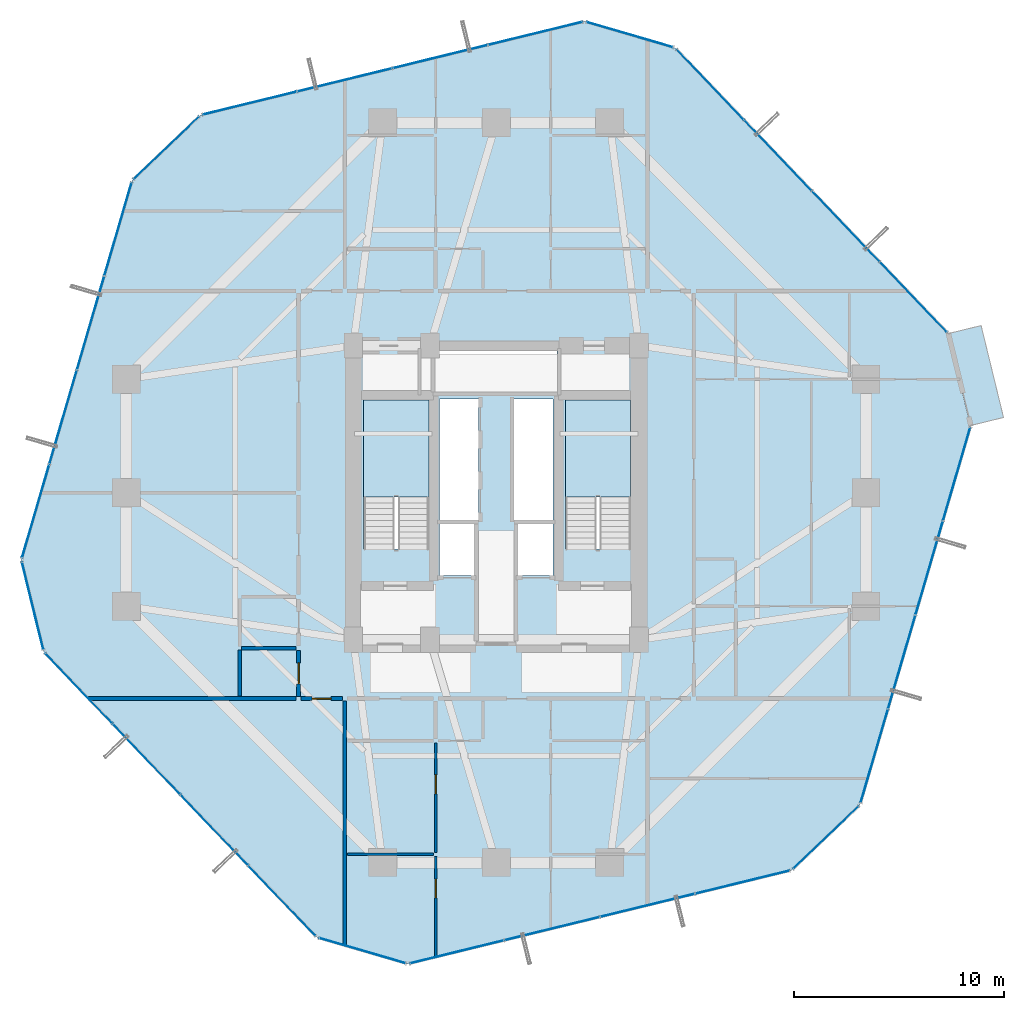
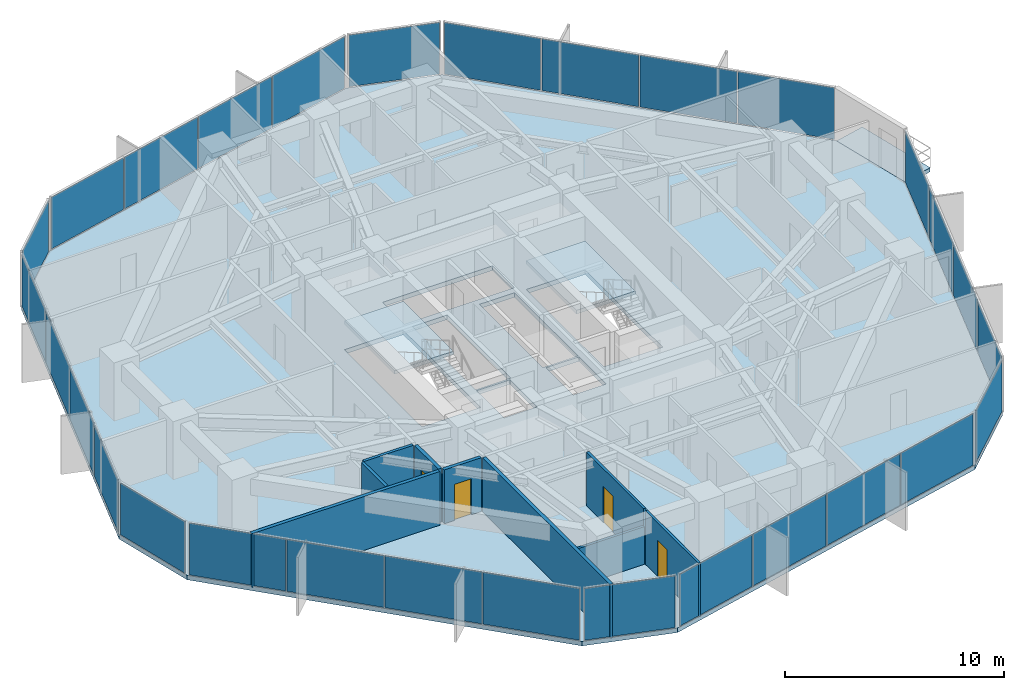
# One storey, part 31 of 37: 29 plates, 9 walls, 4 doors, 4 slabs, 4 openings, 13 elements without a shape of their own.
"""IFC4 building model written with IfcOpenShell, lengths in metres."""

import ifcopenshell
import ifcopenshell.guid

model = None  # the IFC model being written
_history = None  # IfcOwnerHistory: only IFC2X3 demands one
_inside = {}  # id of a spatial element -> (the spatial element, [elements in it])
_under = {}  # id of a project, library or spatial element -> (it, [spatial elements below it])
_declared = {}  # id of a project -> (the project, [libraries it declares])
_typed = {}  # id of a type object -> (the type object, [elements of that type])
_made_of = {}  # id of a material, layer set ... -> (it, [elements and type objects made of it])


def new_model(schema):
    """Start an empty IFC model of exactly this schema.

    Asked for "IFC4X3", IfcOpenShell would pick the latest addendum, in which some entities
    have other attributes; the version numbers below select the first issue.
    IFC2X3 requires an IfcOwnerHistory on every rooted entity: one is made here for all.
    """
    global model, _history
    if schema == "IFC4X3":
        model = ifcopenshell.file(schema_version=(4, 3, 0, 0))
    else:
        model = ifcopenshell.file(schema=schema)
    _inside.clear()
    _under.clear()
    _declared.clear()
    _typed.clear()
    _made_of.clear()
    _history = None
    if model.schema == "IFC2X3":
        org = make("IfcOrganization", Name="unknown")
        user = make(
            "IfcPersonAndOrganization",
            ThePerson=make("IfcPerson", FamilyName="unknown"),
            TheOrganization=org,
        )
        app = make(
            "IfcApplication",
            ApplicationDeveloper=org,
            Version="unknown",
            ApplicationFullName="unknown",
            ApplicationIdentifier="unknown",
        )
        _history = make(
            "IfcOwnerHistory",
            OwningUser=user,
            OwningApplication=app,
            ChangeAction="ADDED",
            CreationDate=0,
        )
    return model


def make(cls, **values):
    """One entity of the class cls with the attributes given. An attribute that is None is left unset."""
    return model.create_entity(
        cls, **{name: value for name, value in values.items() if value is not None}
    )


def rooted(cls, **values):
    """An entity with a GlobalId (a new one), such as an element, a storey or a relation."""
    return make(cls, GlobalId=ifcopenshell.guid.new(), OwnerHistory=_history, **values)


def si_unit(unit_type, name, prefix=None):
    """IfcSIUnit, for example si_unit("LENGTHUNIT", "METRE", prefix="MILLI")."""
    return make("IfcSIUnit", UnitType=unit_type, Prefix=prefix, Name=name)


def assignment(units):
    """IfcUnitAssignment: the units of a project."""
    return None if units is None else make("IfcUnitAssignment", Units=units)


def point(xyz):
    """IfcCartesianPoint."""
    return None if xyz is None else make("IfcCartesianPoint", Coordinates=xyz)


def direction(xyz):
    """IfcDirection."""
    return None if xyz is None else make("IfcDirection", DirectionRatios=xyz)


def frame(location, z_axis=None, x_axis=None):
    """IfcAxis2Placement3D, a coordinate frame: its origin and axes. An axis left out is left unset."""
    return make(
        "IfcAxis2Placement3D",
        Location=point(location),
        Axis=direction(z_axis),
        RefDirection=direction(x_axis),
    )


def frame_2d(location, x_axis=None):
    """IfcAxis2Placement2D, a coordinate frame in the plane: its origin and x axis."""
    return make(
        "IfcAxis2Placement2D", Location=point(location), RefDirection=direction(x_axis)
    )


def origin():
    """The frame at (0, 0, 0) with its axes left unset."""
    return frame((0.0, 0.0, 0.0))


def origin_2d():
    """The frame at (0, 0) in the plane with its x axis left unset."""
    return frame_2d((0.0, 0.0))


def place(relative_to, where):
    """IfcLocalPlacement: puts the frame where relative to a parent placement (None: the world)."""
    return make(
        "IfcLocalPlacement", PlacementRelTo=relative_to, RelativePlacement=where
    )


def context(
    kind, dimensions, precision=None, world=None, true_north=None, identifier=None
):
    """IfcGeometricRepresentationContext, for example the 3D "Model" context."""
    return make(
        "IfcGeometricRepresentationContext",
        ContextIdentifier=identifier,
        ContextType=kind,
        CoordinateSpaceDimension=dimensions,
        Precision=precision,
        WorldCoordinateSystem=world,
        TrueNorth=true_north,
    )


def subcontext(parent, identifier, kind, view, scale=None):
    """IfcGeometricRepresentationSubContext, for example "Body" below "Model"."""
    return make(
        "IfcGeometricRepresentationSubContext",
        ContextIdentifier=identifier,
        ContextType=kind,
        ParentContext=parent,
        TargetScale=scale,
        TargetView=view,
    )


def project(units=None, contexts=None):
    """IfcProject with its units and contexts."""
    return rooted(
        "IfcProject",
        Name="project",
        RepresentationContexts=contexts,
        UnitsInContext=assignment(units),
    )


def spatial(cls, under=None, at=None, **own):
    """A site, building, storey or space (cls), placed at a placement, below another one or the project."""
    s = rooted(cls, ObjectPlacement=at, **own)
    if under is not None:
        _under.setdefault(under.id(), (under, []))[1].append(s)
    return s


def polyline(points):
    """IfcPolyline through the points."""
    return make("IfcPolyline", Points=[point(p) for p in points])


def profile(cls, at=None, kind="AREA", **sizes):
    """A parametric profile (cls). Its sizes go by their IFC names, for example OverallWidth=200.0."""
    return make(cls, ProfileType=kind, Position=at, **sizes)


def rectangle(**sizes):
    """IfcRectangleProfileDef."""
    return profile("IfcRectangleProfileDef", **sizes)


def outline(outer, holes=None, kind="AREA"):
    """IfcArbitraryClosedProfileDef: a profile drawn as a closed curve; with holes, ...WithVoids."""
    if holes is None:
        return make("IfcArbitraryClosedProfileDef", ProfileType=kind, OuterCurve=outer)
    return make(
        "IfcArbitraryProfileDefWithVoids",
        ProfileType=kind,
        OuterCurve=outer,
        InnerCurves=holes,
    )


def extrude(swept, where, along, depth):
    """IfcExtrudedAreaSolid: the profile swept, set in the frame where, extruded along a direction by depth."""
    return make(
        "IfcExtrudedAreaSolid",
        SweptArea=swept,
        Position=where,
        ExtrudedDirection=direction(along),
        Depth=depth,
    )


def shape(context_of_items, identifier, shape_type, items):
    """IfcShapeRepresentation: the items that make up one representation, for example the "Body"."""
    return make(
        "IfcShapeRepresentation",
        ContextOfItems=context_of_items,
        RepresentationIdentifier=identifier,
        RepresentationType=shape_type,
        Items=items,
    )


def source(mapping_origin, context_of_items, identifier, shape_type, items):
    """IfcRepresentationMap: a shape defined once, which mapped items show again and again."""
    return make(
        "IfcRepresentationMap",
        MappingOrigin=mapping_origin,
        MappedRepresentation=shape(context_of_items, identifier, shape_type, items),
    )


def transform(
    local_origin,
    x_axis=None,
    y_axis=None,
    z_axis=None,
    scale=None,
    scale2=None,
    scale3=None,
    uniform=True,
):
    """IfcCartesianTransformationOperator3D, or its non-uniform kind. x_axis, y_axis, z_axis: its Axis1, 2, 3."""
    if uniform:
        return make(
            "IfcCartesianTransformationOperator3D",
            Axis1=direction(x_axis),
            Axis2=direction(y_axis),
            LocalOrigin=point(local_origin),
            Scale=scale,
            Axis3=direction(z_axis),
        )
    return make(
        "IfcCartesianTransformationOperator3DnonUniform",
        Axis1=direction(x_axis),
        Axis2=direction(y_axis),
        LocalOrigin=point(local_origin),
        Scale=scale,
        Axis3=direction(z_axis),
        Scale2=scale2,
        Scale3=scale3,
    )


def mapped(mapping_source, mapping_target):
    """IfcMappedItem: shows the shape of a source again, moved by a transform."""
    return make(
        "IfcMappedItem", MappingSource=mapping_source, MappingTarget=mapping_target
    )


def material(Name=None, Category=None):
    """IfcMaterial."""
    return make("IfcMaterial", Name=Name, Category=Category)


def layer(
    of_material, thickness, ventilated=None, Name=None, Category=None, Priority=None
):
    """IfcMaterialLayer: one layer of a wall or slab, of a material (None: an air gap)."""
    return make(
        "IfcMaterialLayer",
        Material=of_material,
        LayerThickness=thickness,
        IsVentilated=ventilated,
        Name=Name,
        Category=Category,
        Priority=Priority,
    )


def layer_set(layers, Name=None):
    """IfcMaterialLayerSet."""
    return make("IfcMaterialLayerSet", MaterialLayers=layers, LayerSetName=Name)


def made_of(thing, what):
    """Note that an element or type object is made of a material, layer set ...; save() writes the relation."""
    if what is not None:
        _made_of.setdefault(what.id(), (what, []))[1].append(thing)
    return thing


def type_object(cls, material=None, **own):
    """A type object (cls), such as IfcWallType, which elements share."""
    return made_of(rooted(cls, **own), material)


def element(
    cls,
    number,
    at=None,
    inside=None,
    cuts=None,
    type_object=None,
    material=None,
    context=None,
    identifier="Body",
    shape_type=None,
    held_by="IfcProductDefinitionShape",
    body=None,
    shapes=None,
    **own,
):
    """One element of the class cls, such as IfcWall. Its Tag is "e" and its number.

    at: its placement. inside: the storey or other place that contains it. cuts: it is an
    opening in that element (IfcRelVoidsElement). A single representation is given by context,
    identifier, shape_type and body (its items); several are given by shapes. held_by: the class
    of the entity that holds the representations. save() writes the other relations.
    """
    e = rooted(cls, Tag="e%d" % number, ObjectPlacement=at, **own)
    if body is not None:
        shapes = [shape(context, identifier, shape_type, body)]
    if shapes is not None:
        e.Representation = make(held_by, Representations=shapes)
    if inside is not None:
        _inside.setdefault(inside.id(), (inside, []))[1].append(e)
    if cuts is not None:
        rooted(
            "IfcRelVoidsElement", RelatingBuildingElement=cuts, RelatedOpeningElement=e
        )
    if type_object is not None:
        _typed.setdefault(type_object.id(), (type_object, []))[1].append(e)
    return made_of(e, material)


def fill(opening, filler):
    """IfcRelFillsElement: the door or window that sits in an opening."""
    return rooted(
        "IfcRelFillsElement",
        RelatingOpeningElement=opening,
        RelatedBuildingElement=filler,
    )


def aggregate(whole, parts):
    """IfcRelAggregates: a whole, such as a stair, and the parts it consists of."""
    return rooted("IfcRelAggregates", RelatingObject=whole, RelatedObjects=parts)


def save(model, path):
    """Write the relations noted so far, then the file.

    IfcRelAggregates (storeys below a building ...), IfcRelContainedInSpatialStructure (elements
    in a storey), IfcRelDefinesByType, IfcRelAssociatesMaterial and IfcRelDeclares: one each for
    every whole, place, type object, material and project.
    """
    for whole, parts in _under.values():
        aggregate(whole, parts)
    for where, things in _inside.values():
        rooted(
            "IfcRelContainedInSpatialStructure",
            RelatedElements=things,
            RelatingStructure=where,
        )
    for kind, things in _typed.values():
        rooted("IfcRelDefinesByType", RelatedObjects=things, RelatingType=kind)
    for what, things in _made_of.values():
        rooted("IfcRelAssociatesMaterial", RelatedObjects=things, RelatingMaterial=what)
    for by, libraries in _declared.values():
        rooted("IfcRelDeclares", RelatingContext=by, RelatedDefinitions=libraries)
    model.write(path)


model = new_model("IFC4")

# Units and contexts
model_context = context("Model", 3, precision=1e-05, world=origin(), true_north=direction((0.0, 1.0)))
body_context = subcontext(model_context, "Body", "Model", "MODEL_VIEW")
ifc_project = project(units=[si_unit("LENGTHUNIT", "METRE"), si_unit("AREAUNIT", "SQUARE_METRE"), si_unit("VOLUMEUNIT", "CUBIC_METRE"), si_unit("PLANEANGLEUNIT", "RADIAN"), si_unit("MASSUNIT", "GRAM", prefix="KILO")], contexts=[model_context])

# Site, building, storey
site_placement = place(None, origin())
site = spatial("IfcSite", under=ifc_project, at=site_placement, CompositionType="ELEMENT")
building_placement = place(site_placement, origin())
building = spatial("IfcBuilding", under=site, at=building_placement, Name="Veraguas Prism Commons", CompositionType="ELEMENT")
storey_placement = place(building_placement, frame((0.0, 0.0, 70.60009765625)))
storey = spatial("IfcBuildingStorey", under=building, at=storey_placement, Name="L19", CompositionType="ELEMENT", Elevation=70.60009765625)

# Stair, slab
ifc_material_1 = material(Name="Precast concrete C45/55", Category="concrete")
stair_type = type_object("IfcStairType", Name="Dogleg Core Stair 1480W 20R 05", PredefinedType="HALF_TURN_STAIR", material=ifc_material_1)
stair_1_placement = place(storey_placement, origin())
stair_1 = element("IfcStair", 1, at=stair_1_placement, inside=storey, type_object=stair_type, Name="Protected Exit Stair ST-01 L19", PredefinedType="HALF_TURN_STAIR")
ifc_layer_1 = layer(ifc_material_1, 0.199951171875, Name="Precast Stair and Ramp Landing Slab 200", Category="concrete")
ifc_layer_set_1 = layer_set([ifc_layer_1], Name="Precast concrete C45/55")
slab_type_1 = type_object("IfcSlabType", Name="Precast Stair and Ramp Landing Slab 200", PredefinedType="LANDING", material=ifc_layer_set_1)
slab_1_placement = place(storey_placement, frame((0.0, 0.0, 1.4248046875)))
slab_1 = element("IfcSlab", 2, at=slab_1_placement, type_object=slab_type_1, Name="ST-05 Landing 1", PredefinedType="LANDING", context=body_context, shape_type="SweptSolid", body=[
    extrude(outline(polyline([(20.800048828125, 23.800048828125), (20.800048828125, 28.39990234375), (17.68994140625, 28.39990234375), (17.68994140625, 23.800048828125), (20.800048828125, 23.800048828125)])), origin(), (0.0, 0.0, 1.0), 0.2001953125),
])
aggregate(stair_1, [slab_1])

stair_2_placement = place(storey_placement, origin())
stair_2 = element("IfcStair", 3, at=stair_2_placement, inside=storey, type_object=stair_type, Name="Protected Exit Stair ST-02 L19", PredefinedType="HALF_TURN_STAIR")
slab_2_placement = place(storey_placement, frame((0.0, 0.0, 1.4248046875)))
slab_2 = element("IfcSlab", 4, at=slab_2_placement, type_object=slab_type_1, Name="ST-05 Landing 1", PredefinedType="LANDING", context=body_context, shape_type="SweptSolid", body=[
    extrude(outline(polyline([(30.39990234375, 23.800048828125), (30.39990234375, 28.39990234375), (27.2900390625, 28.39990234375), (27.2900390625, 23.800048828125), (30.39990234375, 23.800048828125)])), origin(), (0.0, 0.0, 1.0), 0.2001953125),
])
aggregate(stair_2, [slab_2])

# Slabs
ifc_material_2 = material(Name="Concrete C45/55", Category="concrete")
ifc_layer_2 = layer(ifc_material_2, 0.219970703125, Name="Recessed Loggia and Terrace Slab RC 220", Category="concrete")
ifc_layer_set_2 = layer_set([ifc_layer_2], Name="Concrete C45/55")
slab_type_2 = type_object("IfcSlabType", Name="Recessed Loggia and Terrace Slab RC 220", PredefinedType="FLOOR", material=ifc_layer_set_2)
slab_3_placement = place(storey_placement, frame((0.0, 0.0, -0.22021484375)))
element("IfcSlab", 5, at=slab_3_placement, inside=storey, type_object=slab_type_2, Name="Recessed Corner Loggia L19-C1", PredefinedType="FLOOR", context=body_context, shape_type="SweptSolid", body=[
    extrude(outline(polyline([(46.5673828125, 27.193603515625), (48.14111328125, 27.577880859375), (47.073974609375, 31.949462890625), (45.500244140625, 31.565185546875), (46.5673828125, 27.193603515625)])), origin(), (0.0, 0.0, 1.0), 0.22021484375),
])
ifc_layer_3 = layer(ifc_material_2, 0.25, Name="Tower Lower Residential Floor Slab RC 250", Category="concrete")
ifc_layer_set_3 = layer_set([ifc_layer_3], Name="Concrete C45/55")
slab_type_3 = type_object("IfcSlabType", Name="Tower Lower Residential Floor Slab RC 250", PredefinedType="FLOOR", material=ifc_layer_set_3)
slab_4_placement = place(storey_placement, frame((0.0, 0.0, -0.25)))
element("IfcSlab", 6, at=slab_4_placement, inside=storey, type_object=slab_type_3, Name="Tower Floor Slab L19", PredefinedType="FLOOR", context=body_context, shape_type="SweptSolid", body=[
    extrude(outline(polyline([(46.5869140625, 27.198486328125), (45.51953125, 31.570068359375), (32.523681640625, 45.159912109375), (28.2041015625, 46.42138671875), (9.936767578125, 41.961669921875), (6.684326171875, 38.8515625), (1.4130859375, 20.801513671875), (2.48046875, 16.429931640625), (15.476318359375, 2.840087890625), (19.7958984375, 1.57861328125), (38.063232421875, 6.038330078125), (41.315673828125, 9.1484375), (46.5869140625, 27.198486328125)]), holes=[polyline([(20.800048828125, 21.31005859375), (20.800048828125, 28.39990234375), (17.68994140625, 28.39990234375), (17.68994140625, 21.31005859375), (20.800048828125, 21.31005859375)]), polyline([(30.39990234375, 21.31005859375), (30.39990234375, 28.39990234375), (27.2900390625, 28.39990234375), (27.2900390625, 21.31005859375), (30.39990234375, 21.31005859375)]), polyline([(21.300048828125, 22.64990234375), (23.14990234375, 22.64990234375), (23.14990234375, 28.449951171875), (21.300048828125, 28.449951171875), (21.300048828125, 22.64990234375)]), polyline([(24.85009765625, 22.64990234375), (26.699951171875, 22.64990234375), (26.699951171875, 28.449951171875), (24.85009765625, 28.449951171875), (24.85009765625, 22.64990234375)]), polyline([(21.10009765625, 28.800048828125), (26.89990234375, 28.800048828125), (26.89990234375, 30.800048828125), (21.10009765625, 30.800048828125), (21.10009765625, 28.800048828125)]), polyline([(21.300048828125, 20.050048828125), (23.050048828125, 20.050048828125), (23.050048828125, 22.550048828125), (21.300048828125, 22.550048828125), (21.300048828125, 20.050048828125)]), polyline([(24.949951171875, 20.050048828125), (26.699951171875, 20.050048828125), (26.699951171875, 22.550048828125), (24.949951171875, 22.550048828125), (24.949951171875, 20.050048828125)])]), origin(), (0.0, 0.0, 1.0), 0.25),
])

# Curtain wall, plates
ifc_material_3 = material(Name="Anodised aluminium EN AW-6063 T6", Category="aluminium")
ifc_layer_4 = layer(ifc_material_3, 0.169921875, Name="Unitised Flush Curtain Wall Zone 1", Category="aluminium")
ifc_layer_set_4 = layer_set([ifc_layer_4], Name="Anodised aluminium EN AW-6063 T6")
curtain_wall_type = type_object("IfcCurtainWallType", Name="Unitised Flush Curtain Wall Zone 1", PredefinedType="NOTDEFINED", material=ifc_layer_set_4)
curtain_wall_1_placement = place(storey_placement, origin())
curtain_wall_1 = element("IfcCurtainWall", 7, at=curtain_wall_1_placement, inside=storey, type_object=curtain_wall_type, Name="Tower Facade Curtain Wall L19-F1", PredefinedType="NOTDEFINED")
ifc_material_4 = material(Name="Laminated low-e glass", Category="glass")
ifc_layer_5 = layer(ifc_material_4, 0.028076171875, Name="Unitised Double Low-E Glazed Panel 28", Category="glass")
ifc_layer_set_5 = layer_set([ifc_layer_5], Name="Laminated low-e glass")
plate_type = type_object("IfcPlateType", Name="Unitised Double Low-E Glazed Panel 28", PredefinedType="CURTAIN_PANEL", material=ifc_layer_set_5)
shared_shape_1 = source(origin(), body_context, "Body", "SweptSolid", [
    extrude(rectangle(XDim=4.5810546875, YDim=0.028076171875, at=origin_2d()), origin(), (0.0, 0.0, 1.0), 2.889892578125),
])
plate_1_placement = place(storey_placement, frame((43.853515625, 33.312255859375, 0.05517578125), z_axis=(0.0, 0.0, 1.0), x_axis=(-0.691135993516, 0.722724732154, 0.0)))
plate_1 = element("IfcPlate", 8, at=plate_1_placement, type_object=plate_type, Name="CW-Z1 Panel 1.1", PredefinedType="CURTAIN_PANEL", context=body_context, shape_type="MappedRepresentation", body=[
    mapped(shared_shape_1, transform((0.0, 0.0, 0.0), scale=1.0)),
])
plate_2_placement = place(storey_placement, frame((34.189697265625, 43.41796875, 0.05517578125), z_axis=(0.0, 0.0, 1.0), x_axis=(-0.691135993516, 0.722724732154, 0.0)))
plate_2 = element("IfcPlate", 9, at=plate_2_placement, type_object=plate_type, Name="CW-Z1 Panel 4.1", PredefinedType="CURTAIN_PANEL", context=body_context, shape_type="MappedRepresentation", body=[
    mapped(shared_shape_1, transform((0.0, 0.0, 0.0), scale=1.0)),
])

curtain_wall_2_placement = place(storey_placement, origin())
curtain_wall_2 = element("IfcCurtainWall", 10, at=curtain_wall_2_placement, inside=storey, type_object=curtain_wall_type, Name="Tower Facade Curtain Wall L19-F2", PredefinedType="NOTDEFINED")
plate_3_placement = place(storey_placement, frame((25.8623046875, 45.849853515625, 0.05517578125), z_axis=(0.0, 0.0, 1.0), x_axis=(-0.971464732867, -0.237184048359, 0.0)))
plate_3 = element("IfcPlate", 11, at=plate_3_placement, type_object=plate_type, Name="CW-Z1 Panel 1.1", PredefinedType="CURTAIN_PANEL", context=body_context, shape_type="MappedRepresentation", body=[
    mapped(shared_shape_1, transform((0.0, 0.0, 0.0), scale=1.0)),
])
plate_4_placement = place(storey_placement, frame((12.2783203125, 42.533203125, 0.05517578125), z_axis=(0.0, 0.0, 1.0), x_axis=(-0.971464732867, -0.237184048359, 0.0)))
plate_4 = element("IfcPlate", 12, at=plate_4_placement, type_object=plate_type, Name="CW-Z1 Panel 4.1", PredefinedType="CURTAIN_PANEL", context=body_context, shape_type="MappedRepresentation", body=[
    mapped(shared_shape_1, transform((0.0, 0.0, 0.0), scale=1.0)),
])

curtain_wall_3_placement = place(storey_placement, origin())
curtain_wall_3 = element("IfcCurtainWall", 13, at=curtain_wall_3_placement, inside=storey, type_object=curtain_wall_type, Name="Tower Facade Curtain Wall L19-F3", PredefinedType="NOTDEFINED")
plate_5_placement = place(storey_placement, frame((6.0087890625, 36.53759765625, 0.05517578125), z_axis=(0.0, 0.0, 1.0), x_axis=(-0.280333331925, -0.959902715389, 0.0)))
plate_5 = element("IfcPlate", 14, at=plate_5_placement, type_object=plate_type, Name="CW-Z1 Panel 1.1", PredefinedType="CURTAIN_PANEL", context=body_context, shape_type="MappedRepresentation", body=[
    mapped(shared_shape_1, transform((0.0, 0.0, 0.0), scale=1.0)),
])
plate_6_placement = place(storey_placement, frame((2.0888671875, 23.115478515625, 0.05517578125), z_axis=(0.0, 0.0, 1.0), x_axis=(-0.280333331925, -0.959902715389, 0.0)))
plate_6 = element("IfcPlate", 15, at=plate_6_placement, type_object=plate_type, Name="CW-Z1 Panel 4.1", PredefinedType="CURTAIN_PANEL", context=body_context, shape_type="MappedRepresentation", body=[
    mapped(shared_shape_1, transform((0.0, 0.0, 0.0), scale=1.0)),
])

curtain_wall_4_placement = place(storey_placement, origin())
curtain_wall_4 = element("IfcCurtainWall", 16, at=curtain_wall_4_placement, inside=storey, type_object=curtain_wall_type, Name="Tower Facade Curtain Wall L19-F4", PredefinedType="NOTDEFINED")
plate_7_placement = place(storey_placement, frame((4.146484375, 14.687744140625, 0.05517578125), z_axis=(0.0, 0.0, 1.0), x_axis=(0.691135993516, -0.722724732154, 0.0)))
plate_7 = element("IfcPlate", 17, at=plate_7_placement, type_object=plate_type, Name="CW-Z1 Panel 1.1", PredefinedType="CURTAIN_PANEL", context=body_context, shape_type="MappedRepresentation", body=[
    mapped(shared_shape_1, transform((0.0, 0.0, 0.0), scale=1.0)),
])
plate_8_placement = place(storey_placement, frame((13.810302734375, 4.58203125, 0.05517578125), z_axis=(0.0, 0.0, 1.0), x_axis=(0.691135993516, -0.722724732154, 0.0)))
plate_8 = element("IfcPlate", 18, at=plate_8_placement, type_object=plate_type, Name="CW-Z1 Panel 4.1", PredefinedType="CURTAIN_PANEL", context=body_context, shape_type="MappedRepresentation", body=[
    mapped(shared_shape_1, transform((0.0, 0.0, 0.0), scale=1.0)),
])

curtain_wall_5_placement = place(storey_placement, origin())
curtain_wall_5 = element("IfcCurtainWall", 19, at=curtain_wall_5_placement, inside=storey, type_object=curtain_wall_type, Name="Tower Facade Curtain Wall L19-F5", PredefinedType="NOTDEFINED")
plate_9_placement = place(storey_placement, frame((22.1376953125, 2.150146484375, 0.05517578125), z_axis=(0.0, 0.0, 1.0), x_axis=(0.971464732867, 0.237184048359, 0.0)))
plate_9 = element("IfcPlate", 20, at=plate_9_placement, type_object=plate_type, Name="CW-Z1 Panel 1.1", PredefinedType="CURTAIN_PANEL", context=body_context, shape_type="MappedRepresentation", body=[
    mapped(shared_shape_1, transform((0.0, 0.0, 0.0), scale=1.0)),
])
plate_10_placement = place(storey_placement, frame((35.7216796875, 5.466796875, 0.05517578125), z_axis=(0.0, 0.0, 1.0), x_axis=(0.971464732867, 0.237184048359, 0.0)))
plate_10 = element("IfcPlate", 21, at=plate_10_placement, type_object=plate_type, Name="CW-Z1 Panel 4.1", PredefinedType="CURTAIN_PANEL", context=body_context, shape_type="MappedRepresentation", body=[
    mapped(shared_shape_1, transform((0.0, 0.0, 0.0), scale=1.0)),
])

curtain_wall_6_placement = place(storey_placement, origin())
curtain_wall_6 = element("IfcCurtainWall", 22, at=curtain_wall_6_placement, inside=storey, type_object=curtain_wall_type, Name="Tower Facade Curtain Wall L19-F6", PredefinedType="NOTDEFINED")
plate_11_placement = place(storey_placement, frame((41.9912109375, 11.46240234375, 0.05517578125), z_axis=(0.0, 0.0, 1.0), x_axis=(0.280333331925, 0.959902715389, 0.0)))
plate_11 = element("IfcPlate", 23, at=plate_11_placement, type_object=plate_type, Name="CW-Z1 Panel 1.1", PredefinedType="CURTAIN_PANEL", context=body_context, shape_type="MappedRepresentation", body=[
    mapped(shared_shape_1, transform((0.0, 0.0, 0.0), scale=1.0)),
])
plate_12_placement = place(storey_placement, frame((45.9111328125, 24.884521484375, 0.05517578125), z_axis=(0.0, 0.0, 1.0), x_axis=(0.280333331925, 0.959902715389, 0.0)))
plate_12 = element("IfcPlate", 24, at=plate_12_placement, type_object=plate_type, Name="CW-Z1 Panel 4.1", PredefinedType="CURTAIN_PANEL", context=body_context, shape_type="MappedRepresentation", body=[
    mapped(shared_shape_1, transform((0.0, 0.0, 0.0), scale=1.0)),
])

# Plate
shared_shape_2 = source(origin(), body_context, "Body", "SweptSolid", [
    extrude(rectangle(XDim=4.611083984375, YDim=0.028076171875, at=origin_2d()), origin(), (0.0, 0.0, 1.0), 2.889892578125),
])
plate_13_placement = place(storey_placement, frame((4.703369140625, 32.068359375, 0.05517578125), z_axis=(0.0, 0.0, 1.0), x_axis=(-0.280333331925, -0.959902715389, 0.0)))
plate_13 = element("IfcPlate", 25, at=plate_13_placement, type_object=plate_type, Name="CW-Z1 Panel 2.1", PredefinedType="CURTAIN_PANEL", context=body_context, shape_type="MappedRepresentation", body=[
    mapped(shared_shape_2, transform((0.0, 0.0, 0.0), scale=1.0)),
])

plate_14_placement = place(storey_placement, frame((3.39404296875, 27.584716796875, 0.05517578125), z_axis=(0.0, 0.0, 1.0), x_axis=(-0.280333331925, -0.959902715389, 0.0)))
plate_14 = element("IfcPlate", 26, at=plate_14_placement, type_object=plate_type, Name="CW-Z1 Panel 3.1", PredefinedType="CURTAIN_PANEL", context=body_context, shape_type="MappedRepresentation", body=[
    mapped(shared_shape_2, transform((0.0, 0.0, 0.0), scale=1.0)),
])

aggregate(curtain_wall_3, [plate_5, plate_13, plate_14, plate_6])

plate_15_placement = place(storey_placement, frame((43.296630859375, 15.931640625, 0.05517578125), z_axis=(0.0, 0.0, 1.0), x_axis=(0.280333331925, 0.959902715389, 0.0)))
plate_15 = element("IfcPlate", 27, at=plate_15_placement, type_object=plate_type, Name="CW-Z1 Panel 2.1", PredefinedType="CURTAIN_PANEL", context=body_context, shape_type="MappedRepresentation", body=[
    mapped(shared_shape_2, transform((0.0, 0.0, 0.0), scale=1.0)),
])

plate_16_placement = place(storey_placement, frame((44.60595703125, 20.415283203125, 0.05517578125), z_axis=(0.0, 0.0, 1.0), x_axis=(0.280333331925, 0.959902715389, 0.0)))
plate_16 = element("IfcPlate", 28, at=plate_16_placement, type_object=plate_type, Name="CW-Z1 Panel 3.1", PredefinedType="CURTAIN_PANEL", context=body_context, shape_type="MappedRepresentation", body=[
    mapped(shared_shape_2, transform((0.0, 0.0, 0.0), scale=1.0)),
])

aggregate(curtain_wall_6, [plate_11, plate_15, plate_16, plate_12])

shared_shape_3 = source(origin(), body_context, "Body", "SweptSolid", [
    extrude(rectangle(XDim=4.61083984375, YDim=0.028076171875, at=origin_2d()), origin(), (0.0, 0.0, 1.0), 2.889892578125),
])
plate_17_placement = place(storey_placement, frame((40.6357421875, 36.677001953125, 0.05517578125), z_axis=(0.0, 0.0, 1.0), x_axis=(-0.691135993516, 0.722724732154, 0.0)))
plate_17 = element("IfcPlate", 29, at=plate_17_placement, type_object=plate_type, Name="CW-Z1 Panel 2.1", PredefinedType="CURTAIN_PANEL", context=body_context, shape_type="MappedRepresentation", body=[
    mapped(shared_shape_3, transform((0.0, 0.0, 0.0), scale=1.0)),
])

plate_18_placement = place(storey_placement, frame((37.407470703125, 40.052978515625, 0.05517578125), z_axis=(0.0, 0.0, 1.0), x_axis=(-0.691135993516, 0.722724732154, 0.0)))
plate_18 = element("IfcPlate", 30, at=plate_18_placement, type_object=plate_type, Name="CW-Z1 Panel 3.1", PredefinedType="CURTAIN_PANEL", context=body_context, shape_type="MappedRepresentation", body=[
    mapped(shared_shape_3, transform((0.0, 0.0, 0.0), scale=1.0)),
])

aggregate(curtain_wall_1, [plate_1, plate_17, plate_18, plate_2])

plate_19_placement = place(storey_placement, frame((21.339111328125, 44.74560546875, 0.05517578125), z_axis=(0.0, 0.0, 1.0), x_axis=(-0.971464732867, -0.237184048359, 0.0)))
plate_19 = element("IfcPlate", 31, at=plate_19_placement, type_object=plate_type, Name="CW-Z1 Panel 2.1", PredefinedType="CURTAIN_PANEL", context=body_context, shape_type="MappedRepresentation", body=[
    mapped(shared_shape_3, transform((0.0, 0.0, 0.0), scale=1.0)),
])

plate_20_placement = place(storey_placement, frame((16.801513671875, 43.6376953125, 0.05517578125), z_axis=(0.0, 0.0, 1.0), x_axis=(-0.971464732867, -0.237184048359, 0.0)))
plate_20 = element("IfcPlate", 32, at=plate_20_placement, type_object=plate_type, Name="CW-Z1 Panel 3.1", PredefinedType="CURTAIN_PANEL", context=body_context, shape_type="MappedRepresentation", body=[
    mapped(shared_shape_3, transform((0.0, 0.0, 0.0), scale=1.0)),
])

aggregate(curtain_wall_2, [plate_3, plate_19, plate_20, plate_4])

plate_21_placement = place(storey_placement, frame((7.3642578125, 11.322998046875, 0.05517578125), z_axis=(0.0, 0.0, 1.0), x_axis=(0.691135993516, -0.722724732154, 0.0)))
plate_21 = element("IfcPlate", 33, at=plate_21_placement, type_object=plate_type, Name="CW-Z1 Panel 2.1", PredefinedType="CURTAIN_PANEL", context=body_context, shape_type="MappedRepresentation", body=[
    mapped(shared_shape_3, transform((0.0, 0.0, 0.0), scale=1.0)),
])

plate_22_placement = place(storey_placement, frame((10.592529296875, 7.947021484375, 0.05517578125), z_axis=(0.0, 0.0, 1.0), x_axis=(0.691135993516, -0.722724732154, 0.0)))
plate_22 = element("IfcPlate", 34, at=plate_22_placement, type_object=plate_type, Name="CW-Z1 Panel 3.1", PredefinedType="CURTAIN_PANEL", context=body_context, shape_type="MappedRepresentation", body=[
    mapped(shared_shape_3, transform((0.0, 0.0, 0.0), scale=1.0)),
])

aggregate(curtain_wall_4, [plate_7, plate_21, plate_22, plate_8])

plate_23_placement = place(storey_placement, frame((26.660888671875, 3.25439453125, 0.05517578125), z_axis=(0.0, 0.0, 1.0), x_axis=(0.971464732867, 0.237184048359, 0.0)))
plate_23 = element("IfcPlate", 35, at=plate_23_placement, type_object=plate_type, Name="CW-Z1 Panel 2.1", PredefinedType="CURTAIN_PANEL", context=body_context, shape_type="MappedRepresentation", body=[
    mapped(shared_shape_3, transform((0.0, 0.0, 0.0), scale=1.0)),
])

plate_24_placement = place(storey_placement, frame((31.198486328125, 4.3623046875, 0.05517578125), z_axis=(0.0, 0.0, 1.0), x_axis=(0.971464732867, 0.237184048359, 0.0)))
plate_24 = element("IfcPlate", 36, at=plate_24_placement, type_object=plate_type, Name="CW-Z1 Panel 3.1", PredefinedType="CURTAIN_PANEL", context=body_context, shape_type="MappedRepresentation", body=[
    mapped(shared_shape_3, transform((0.0, 0.0, 0.0), scale=1.0)),
])

aggregate(curtain_wall_5, [plate_9, plate_23, plate_24, plate_10])

# Curtain wall, plate
curtain_wall_7_placement = place(storey_placement, origin())
curtain_wall_7 = element("IfcCurtainWall", 37, at=curtain_wall_7_placement, inside=storey, type_object=curtain_wall_type, Name="Chamfer Curtain Wall L19-C2", PredefinedType="NOTDEFINED")
shared_shape_4 = source(origin(), body_context, "Body", "SweptSolid", [
    extrude(rectangle(XDim=4.260009765625, YDim=0.028076171875, at=origin_2d()), origin(), (0.0, 0.0, 1.0), 2.889892578125),
])
plate_25_placement = place(storey_placement, frame((30.36376953125, 45.790771484375, 0.05517578125), z_axis=(0.0, 0.0, 1.0), x_axis=(-0.95990075827, 0.280340033303, 0.0)))
plate_25 = element("IfcPlate", 38, at=plate_25_placement, type_object=plate_type, Name="CW-Z1 Panel 1.1", PredefinedType="CURTAIN_PANEL", context=body_context, shape_type="MappedRepresentation", body=[
    mapped(shared_shape_4, transform((0.0, 0.0, 0.0), scale=1.0)),
])
aggregate(curtain_wall_7, [plate_25])

curtain_wall_8_placement = place(storey_placement, origin())
curtain_wall_8 = element("IfcCurtainWall", 39, at=curtain_wall_8_placement, inside=storey, type_object=curtain_wall_type, Name="Chamfer Curtain Wall L19-C3", PredefinedType="NOTDEFINED")
plate_26_placement = place(storey_placement, frame((8.310546875, 40.406494140625, 0.05517578125), z_axis=(0.0, 0.0, 1.0), x_axis=(-0.722729557176, -0.691130947929, 0.0)))
plate_26 = element("IfcPlate", 40, at=plate_26_placement, type_object=plate_type, Name="CW-Z1 Panel 1.1", PredefinedType="CURTAIN_PANEL", context=body_context, shape_type="MappedRepresentation", body=[
    mapped(shared_shape_4, transform((0.0, 0.0, 0.0), scale=1.0)),
])
aggregate(curtain_wall_8, [plate_26])

curtain_wall_9_placement = place(storey_placement, origin())
curtain_wall_9 = element("IfcCurtainWall", 41, at=curtain_wall_9_placement, inside=storey, type_object=curtain_wall_type, Name="Chamfer Curtain Wall L19-C4", PredefinedType="NOTDEFINED")
plate_27_placement = place(storey_placement, frame((1.94677734375, 18.61572265625, 0.05517578125), z_axis=(0.0, 0.0, 1.0), x_axis=(0.237192525979, -0.971462663009, 0.0)))
plate_27 = element("IfcPlate", 42, at=plate_27_placement, type_object=plate_type, Name="CW-Z1 Panel 1.1", PredefinedType="CURTAIN_PANEL", context=body_context, shape_type="MappedRepresentation", body=[
    mapped(shared_shape_4, transform((0.0, 0.0, 0.0), scale=1.0)),
])
aggregate(curtain_wall_9, [plate_27])

curtain_wall_10_placement = place(storey_placement, origin())
curtain_wall_10 = element("IfcCurtainWall", 43, at=curtain_wall_10_placement, inside=storey, type_object=curtain_wall_type, Name="Chamfer Curtain Wall L19-C5", PredefinedType="NOTDEFINED")
plate_28_placement = place(storey_placement, frame((17.63623046875, 2.209228515625, 0.05517578125), z_axis=(0.0, 0.0, 1.0), x_axis=(0.95990075827, -0.280340033303, 0.0)))
plate_28 = element("IfcPlate", 44, at=plate_28_placement, type_object=plate_type, Name="CW-Z1 Panel 1.1", PredefinedType="CURTAIN_PANEL", context=body_context, shape_type="MappedRepresentation", body=[
    mapped(shared_shape_4, transform((0.0, 0.0, 0.0), scale=1.0)),
])
aggregate(curtain_wall_10, [plate_28])

curtain_wall_11_placement = place(storey_placement, origin())
curtain_wall_11 = element("IfcCurtainWall", 45, at=curtain_wall_11_placement, inside=storey, type_object=curtain_wall_type, Name="Chamfer Curtain Wall L19-C6", PredefinedType="NOTDEFINED")
plate_29_placement = place(storey_placement, frame((39.689453125, 7.593505859375, 0.05517578125), z_axis=(0.0, 0.0, 1.0), x_axis=(0.722729557176, 0.691130947929, 0.0)))
plate_29 = element("IfcPlate", 46, at=plate_29_placement, type_object=plate_type, Name="CW-Z1 Panel 1.1", PredefinedType="CURTAIN_PANEL", context=body_context, shape_type="MappedRepresentation", body=[
    mapped(shared_shape_4, transform((0.0, 0.0, 0.0), scale=1.0)),
])
aggregate(curtain_wall_11, [plate_29])

# Walls
ifc_material_5 = material(Name="Autoclaved aerated masonry block 10 MPa", Category="masonry")
ifc_layer_6 = layer(ifc_material_5, 0.179931640625, Name="Corridor and Inter-Tenancy Partition 180", Category="masonry")
ifc_layer_set_6 = layer_set([ifc_layer_6], Name="Autoclaved aerated masonry block 10 MPa")
wall_type_1 = type_object("IfcWallType", Name="Corridor and Inter-Tenancy Partition 180", PredefinedType="PARTITIONING", material=ifc_layer_set_6)
wall_1_placement = place(storey_placement, frame((16.800048828125, 14.080078125, 0.0), z_axis=(0.0, 0.0, 1.0), x_axis=(0.0, -1.0, 0.0)))
element("IfcWall", 47, at=wall_1_placement, inside=storey, type_object=wall_type_1, Name="WL-L19-PT001", PredefinedType="PARTITIONING", context=body_context, shape_type="SweptSolid", body=[
    extrude(rectangle(XDim=11.657958984375, YDim=0.179931640625, at=frame_2d((5.8291015625, 0.0))), origin(), (0.0, 0.0, 1.0), 3.0),
])
wall_2_placement = place(storey_placement, frame((14.47998046875, 14.199951171875, 0.0), z_axis=(0.0, 0.0, 1.0), x_axis=(-1.0, 0.0, 0.0)))
element("IfcWall", 48, at=wall_2_placement, inside=storey, type_object=wall_type_1, Name="WL-L19-PT033", PredefinedType="PARTITIONING", context=body_context, shape_type="SweptSolid", body=[
    extrude(rectangle(XDim=9.90869140625, YDim=0.179931640625, at=frame_2d((4.954345703125, 0.0))), origin(), (0.0, 0.0, 1.0), 3.0),
])

# Wall, opening, door
wall_3_placement = place(storey_placement, frame((14.60009765625, 14.31005859375, 0.0), z_axis=(0.0, 0.0, 1.0), x_axis=(0.0, 1.0, 0.0)))
wall_3 = element("IfcWall", 49, at=wall_3_placement, inside=storey, type_object=wall_type_1, Name="WL-L19-PT035", PredefinedType="PARTITIONING", context=body_context, shape_type="SweptSolid", body=[
    extrude(rectangle(XDim=2.179931640625, YDim=0.179931640625, at=frame_2d((1.08984375, 0.0))), origin(), (0.0, 0.0, 1.0), 3.0),
])
opening_1_placement = place(wall_3_placement, frame((0.590087890625, 0.0, 0.0)))
opening_1 = element("IfcOpeningElement", 50, at=opening_1_placement, cuts=wall_3, Name="Opening DR-13", PredefinedType="OPENING", context=body_context, shape_type="SweptSolid", body=[
    extrude(rectangle(XDim=1.0, YDim=2.010009765625, at=frame_2d((0.5, 1.0048828125))), frame((0.0, 0.099853515625, 0.0), z_axis=(0.0, -1.0, 0.0), x_axis=(1.0, 0.0, 0.0)), (0.0, 0.0, 1.0), 0.199951171875),
])
ifc_material_6 = material(Name="Steel fire-rated door assembly", Category="steel")
door_type_1 = type_object("IfcDoorType", Name="Core Accessible WC and Clinic Fire Door 1000x2010", OperationType="NOTDEFINED", PredefinedType="DOOR", material=ifc_material_6)
shared_shape_5 = source(origin(), body_context, "Body", "SweptSolid", [
    extrude(rectangle(XDim=1.0, YDim=2.010009765625, at=frame_2d((0.5, 1.0048828125))), frame((0.0, 0.02490234375, 0.0), z_axis=(0.0, -1.0, 0.0), x_axis=(1.0, 0.0, 0.0)), (0.0, 0.0, 1.0), 0.050048828125),
])
door_1_placement = place(opening_1_placement, origin())
door_1 = element("IfcDoor", 51, at=door_1_placement, inside=storey, type_object=door_type_1, Name="Public WC L19 Door", OperationType="SINGLE_SWING_RIGHT", OverallHeight=2.010009765625, OverallWidth=1.0, PredefinedType="DOOR", context=body_context, shape_type="MappedRepresentation", body=[
    mapped(shared_shape_5, transform((0.0, 0.0, 0.0), scale=1.0)),
])
fill(opening_1, door_1)

wall_4_placement = place(storey_placement, frame((14.719970703125, 14.199951171875, 0.0), z_axis=(0.0, 0.0, 1.0), x_axis=(1.0, 0.0, 0.0)))
wall_4 = element("IfcWall", 52, at=wall_4_placement, inside=storey, type_object=wall_type_1, Name="WL-L19-PT061", PredefinedType="PARTITIONING", context=body_context, shape_type="SweptSolid", body=[
    extrude(rectangle(XDim=1.9599609375, YDim=0.179931640625, at=frame_2d((0.97998046875, 0.0))), origin(), (0.0, 0.0, 1.0), 3.0),
])
opening_2_placement = place(wall_4_placement, frame((0.530029296875, 0.0, 0.0)))
opening_2 = element("IfcOpeningElement", 53, at=opening_2_placement, cuts=wall_4, Name="Opening DR-14", PredefinedType="OPENING", context=body_context, shape_type="SweptSolid", body=[
    extrude(rectangle(XDim=0.89990234375, YDim=2.010009765625, at=frame_2d((0.449951171875, 1.0048828125))), frame((0.0, 0.099853515625, 0.0), z_axis=(0.0, -1.0, 0.0), x_axis=(1.0, 0.0, 0.0)), (0.0, 0.0, 1.0), 0.199951171875),
])
door_type_2 = type_object("IfcDoorType", Name="Core Service Room Fire Door 900x2010", OperationType="NOTDEFINED", PredefinedType="DOOR", material=ifc_material_6)
shared_shape_6 = source(origin(), body_context, "Body", "SweptSolid", [
    extrude(rectangle(XDim=0.89990234375, YDim=2.010009765625, at=frame_2d((0.449951171875, 1.0048828125))), frame((0.0, 0.02490234375, 0.0), z_axis=(0.0, -1.0, 0.0), x_axis=(1.0, 0.0, 0.0)), (0.0, 0.0, 1.0), 0.050048828125),
])
door_2_placement = place(opening_2_placement, origin())
door_2 = element("IfcDoor", 54, at=door_2_placement, inside=storey, type_object=door_type_2, Name="Residents Corner Study Room SW Door", OperationType="SINGLE_SWING_LEFT", OverallHeight=2.010009765625, OverallWidth=0.89990234375, PredefinedType="DOOR", context=body_context, shape_type="MappedRepresentation", body=[
    mapped(shared_shape_6, transform((0.0, 0.0, 0.0), scale=1.0)),
])
fill(opening_2, door_2)

# Wall
ifc_material_7 = material(Name="Lightweight acoustic gypsum board")
ifc_layer_7 = layer(ifc_material_7, 0.125, Name="Internal Apartment Room Partition 125")
ifc_layer_set_7 = layer_set([ifc_layer_7], Name="Lightweight acoustic gypsum board")
wall_type_2 = type_object("IfcWallType", Name="Internal Apartment Room Partition 125", PredefinedType="PARTITIONING", material=ifc_layer_set_7)
wall_5_placement = place(storey_placement, frame((16.919921875, 6.800048828125, 0.0), z_axis=(0.0, 0.0, 1.0), x_axis=(1.0, 0.0, 0.0)))
element("IfcWall", 55, at=wall_5_placement, inside=storey, type_object=wall_type_2, Name="WL-L19-PT005", PredefinedType="PARTITIONING", context=body_context, shape_type="SweptSolid", body=[
    extrude(rectangle(XDim=4.10009765625, YDim=0.125, at=frame_2d((2.050048828125, 0.0))), origin(), (0.0, 0.0, 1.0), 2.099853515625),
])

# Wall, opening, door
wall_6_placement = place(storey_placement, frame((21.1201171875, 6.699951171875, 0.0), z_axis=(0.0, 0.0, 1.0), x_axis=(0.0, -1.0, 0.0)))
wall_6 = element("IfcWall", 56, at=wall_6_placement, inside=storey, type_object=wall_type_2, Name="WL-L19-PT006", PredefinedType="PARTITIONING", context=body_context, shape_type="SweptSolid", body=[
    extrude(rectangle(XDim=4.8291015625, YDim=0.125, at=frame_2d((2.41455078125, 0.0))), origin(), (0.0, 0.0, 1.0), 3.0),
])
opening_3_placement = place(wall_6_placement, frame((1.082275390625, 0.0, 0.0)))
opening_3 = element("IfcOpeningElement", 57, at=opening_3_placement, cuts=wall_6, Name="Opening DR-02", PredefinedType="OPENING", context=body_context, shape_type="SweptSolid", body=[
    extrude(rectangle(XDim=0.89990234375, YDim=2.010009765625, at=frame_2d((0.449951171875, 1.0048828125))), frame((0.0, 0.072509765625, 0.0), z_axis=(0.0, -1.0, 0.0), x_axis=(1.0, 0.0, 0.0)), (0.0, 0.0, 1.0), 0.14501953125),
])
ifc_material_8 = material(Name="Timber solid core hardwood", Category="wood")
door_type_3 = type_object("IfcDoorType", Name="Internal Habitable Room Door 900x2010", OperationType="NOTDEFINED", PredefinedType="DOOR", material=ifc_material_8)
door_3_placement = place(opening_3_placement, origin())
door_3 = element("IfcDoor", 58, at=door_3_placement, inside=storey, type_object=door_type_3, Name="Flat 19A Bedroom 3 Door", OperationType="SINGLE_SWING_RIGHT", OverallHeight=2.010009765625, OverallWidth=0.89990234375, PredefinedType="DOOR", context=body_context, shape_type="MappedRepresentation", body=[
    mapped(shared_shape_6, transform((0.0, 0.0, 0.0), scale=1.0)),
])
fill(opening_3, door_3)

wall_7_placement = place(storey_placement, frame((21.1201171875, 12.10009765625, 0.0), z_axis=(0.0, 0.0, 1.0), x_axis=(0.0, -1.0, 0.0)))
wall_7 = element("IfcWall", 59, at=wall_7_placement, inside=storey, type_object=wall_type_2, Name="WL-L19-PT011", PredefinedType="PARTITIONING", context=body_context, shape_type="SweptSolid", body=[
    extrude(rectangle(XDim=5.22021484375, YDim=0.125, at=frame_2d((2.610107421875, 0.0))), origin(), (0.0, 0.0, 1.0), 3.0),
])
opening_4_placement = place(wall_7_placement, frame((1.53271484375, 0.0, 0.0)))
opening_4 = element("IfcOpeningElement", 60, at=opening_4_placement, cuts=wall_7, Name="Opening DR-02", PredefinedType="OPENING", context=body_context, shape_type="SweptSolid", body=[
    extrude(rectangle(XDim=0.89990234375, YDim=2.010009765625, at=frame_2d((0.449951171875, 1.0048828125))), frame((0.0, 0.072509765625, 0.0), z_axis=(0.0, -1.0, 0.0), x_axis=(1.0, 0.0, 0.0)), (0.0, 0.0, 1.0), 0.14501953125),
])
door_4_placement = place(opening_4_placement, origin())
door_4 = element("IfcDoor", 61, at=door_4_placement, inside=storey, type_object=door_type_3, Name="Flat 19A Bedroom 2 Door", OperationType="SINGLE_SWING_RIGHT", OverallHeight=2.010009765625, OverallWidth=0.89990234375, PredefinedType="DOOR", context=body_context, shape_type="MappedRepresentation", body=[
    mapped(shared_shape_6, transform((0.0, 0.0, 0.0), scale=1.0)),
])
fill(opening_4, door_4)

# Walls
ifc_layer_8 = layer(ifc_material_7, 0.14990234375, Name="Wet Room and Clinic Acoustic Partition 150")
ifc_layer_set_8 = layer_set([ifc_layer_8], Name="Lightweight acoustic gypsum board")
wall_type_3 = type_object("IfcWallType", Name="Wet Room and Clinic Acoustic Partition 150", PredefinedType="PARTITIONING", material=ifc_layer_set_8)
wall_8_placement = place(storey_placement, frame((14.47998046875, 16.60009765625, 0.0), z_axis=(0.0, 0.0, 1.0), x_axis=(-1.0, 0.0, 0.0)))
element("IfcWall", 62, at=wall_8_placement, inside=storey, type_object=wall_type_3, Name="WL-L19-PT039", PredefinedType="PARTITIONING", context=body_context, shape_type="SweptSolid", body=[
    extrude(rectangle(XDim=2.60009765625, YDim=0.14990234375, at=frame_2d((1.300048828125, 0.0))), origin(), (0.0, 0.0, 1.0), 3.0),
])
wall_9_placement = place(storey_placement, frame((11.800048828125, 14.320068359375, 0.0), z_axis=(0.0, 0.0, 1.0), x_axis=(0.0, 1.0, 0.0)))
element("IfcWall", 63, at=wall_9_placement, inside=storey, type_object=wall_type_3, Name="WL-L19-PT041", PredefinedType="PARTITIONING", context=body_context, shape_type="SweptSolid", body=[
    extrude(rectangle(XDim=2.199951171875, YDim=0.14990234375, at=frame_2d((1.10009765625, 0.0))), origin(), (0.0, 0.0, 1.0), 3.0),
])

save(model, "model.ifc")
